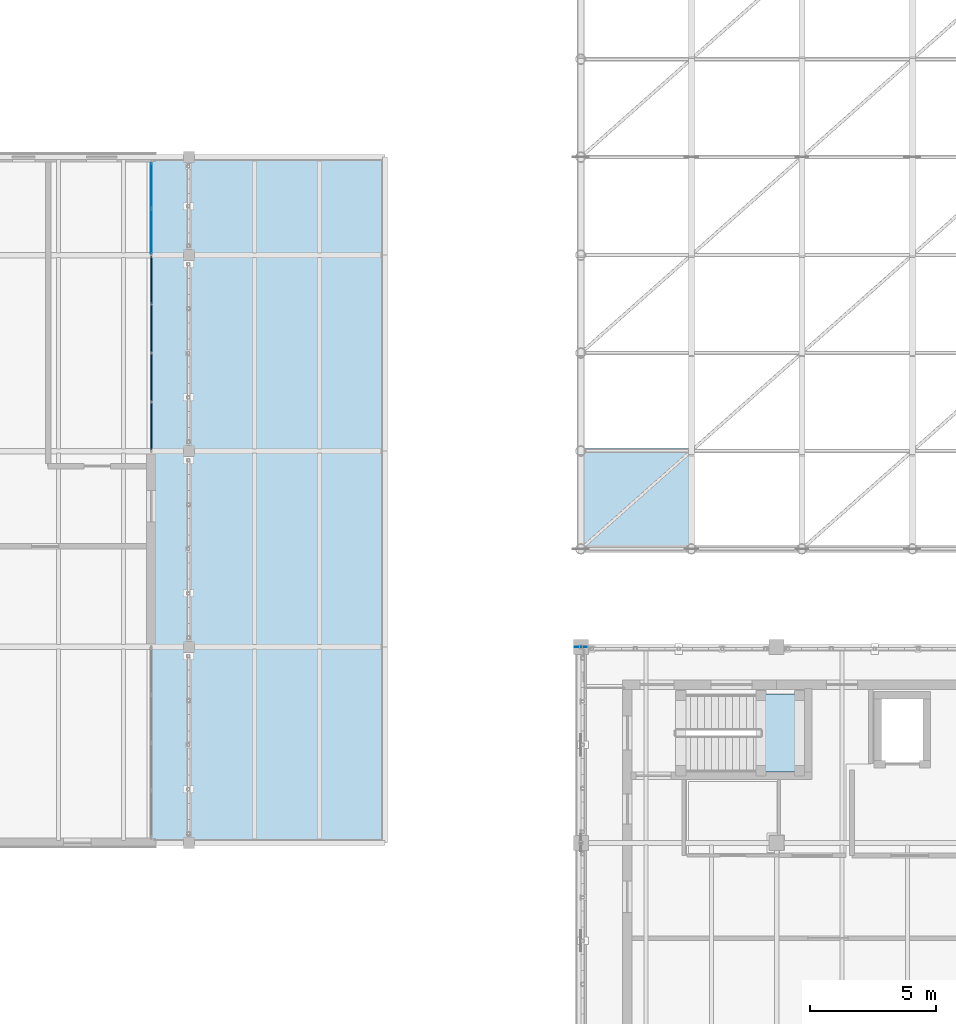
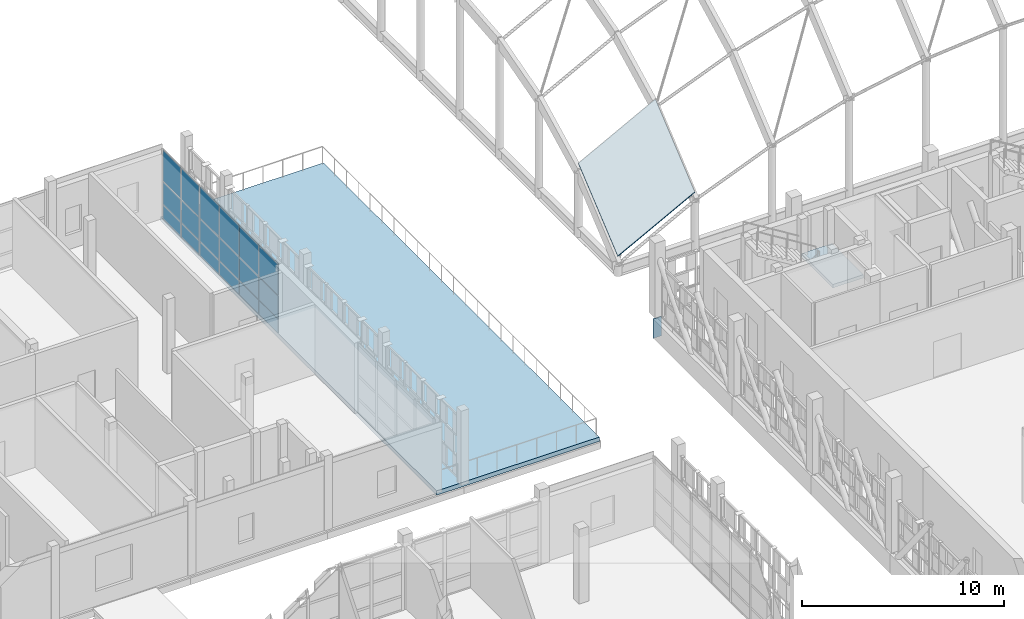
# One storey, part 69 of 119: 19 plates, 3 slabs, 3 elements without a shape of their own.
"""IFC4 building model written with IfcOpenShell, lengths in metres."""

from ifc_helpers import new_model, si_unit, direction, frame, origin, origin_2d, place, context, subcontext, project, spatial, polyline, rectangle, outline, extrude, material, layer, layer_set, type_object, element, aggregate, save


model = new_model("IFC4")

# Units and contexts
model_context = context("Model", 3, precision=1e-05, world=origin(), true_north=direction((0.0, 1.0)))
body_context = subcontext(model_context, "Body", "Model", "MODEL_VIEW")
ifc_project = project(units=[si_unit("LENGTHUNIT", "METRE"), si_unit("AREAUNIT", "SQUARE_METRE"), si_unit("VOLUMEUNIT", "CUBIC_METRE"), si_unit("PLANEANGLEUNIT", "RADIAN"), si_unit("MASSUNIT", "GRAM", prefix="KILO")], contexts=[model_context])

# Site, building, storey
site_placement = place(None, origin())
site = spatial("IfcSite", under=ifc_project, at=site_placement, CompositionType="ELEMENT")
building_placement = place(site_placement, origin())
building = spatial("IfcBuilding", under=site, at=building_placement, Name="Celorna Specialist Clinic", CompositionType="ELEMENT")
storey_placement = place(building_placement, frame((0.0, 0.0, 9.60009765625)))
storey = spatial("IfcBuildingStorey", under=building, at=storey_placement, Name="L02", CompositionType="ELEMENT", Elevation=9.60009765625)

# Curtain wall, plates
ifc_material_1 = material(Name="Thermally broken aluminium and solar-control glass curtain wall", Category="aluminium")
ifc_layer_1 = layer(ifc_material_1, 0.159912109375, Name="Thermally broken aluminium and solar-control glass curtain wall")
ifc_layer_set_1 = layer_set([ifc_layer_1], Name="Thermally broken aluminium and solar-control glass curtain wall")
curtain_wall_type_1 = type_object("IfcCurtainWallType", Name="CW-33", PredefinedType="NOTDEFINED", material=ifc_layer_set_1)
curtain_wall_1_placement = place(storey_placement, origin())
curtain_wall_1 = element("IfcCurtainWall", 1, at=curtain_wall_1_placement, inside=storey, type_object=curtain_wall_type_1, Name="Curtain wall CW-33 #63", PredefinedType="NOTDEFINED")
ifc_material_2 = material(Name="Low-e double glazing", Category="glass")
ifc_layer_2 = layer(ifc_material_2, 0.028076171875, Name="Low-e double glazing")
ifc_layer_set_2 = layer_set([ifc_layer_2], Name="Low-e double glazing")
plate_type_1 = type_object("IfcPlateType", Name="CPN-01", PredefinedType="CURTAIN_PANEL", material=ifc_layer_set_2)
plate_1_placement = place(storey_placement, frame((37.5, 61.26806640625, 0.0498046875), z_axis=(0.0, 0.0, 1.0), x_axis=(0.0, -1.0, 0.0)))
plate_1 = element("IfcPlate", 2, at=plate_1_placement, type_object=plate_type_1, Name="CW-33 panel 1.1", PredefinedType="CURTAIN_PANEL", context=body_context, shape_type="SweptSolid", body=[
    extrude(rectangle(XDim=1.77587890625, YDim=0.028076171875, at=origin_2d()), origin(), (0.0, 0.0, 1.0), 0.824951171875),
])
plate_2_placement = place(storey_placement, frame((37.5, 61.26806640625, 0.9248046875), z_axis=(0.0, 0.0, 1.0), x_axis=(0.0, -1.0, 0.0)))
plate_2 = element("IfcPlate", 3, at=plate_2_placement, type_object=plate_type_1, Name="CW-33 panel 1.2", PredefinedType="CURTAIN_PANEL", context=body_context, shape_type="SweptSolid", body=[
    extrude(rectangle(XDim=1.77587890625, YDim=0.028076171875, at=origin_2d()), origin(), (0.0, 0.0, 1.0), 1.35009765625),
])
plate_3_placement = place(storey_placement, frame((37.5, 61.26806640625, 2.32470703125), z_axis=(0.0, 0.0, 1.0), x_axis=(0.0, -1.0, 0.0)))
plate_3 = element("IfcPlate", 4, at=plate_3_placement, type_object=plate_type_1, Name="CW-33 panel 1.3", PredefinedType="CURTAIN_PANEL", context=body_context, shape_type="SweptSolid", body=[
    extrude(rectangle(XDim=1.77587890625, YDim=0.028076171875, at=origin_2d()), origin(), (0.0, 0.0, 1.0), 1.864990234375),
])
plate_4_placement = place(storey_placement, frame((37.5, 59.44189453125, 0.0498046875), z_axis=(0.0, 0.0, 1.0), x_axis=(0.0, -1.0, 0.0)))
plate_4 = element("IfcPlate", 5, at=plate_4_placement, type_object=plate_type_1, Name="CW-33 panel 2.1", PredefinedType="CURTAIN_PANEL", context=body_context, shape_type="SweptSolid", body=[
    extrude(rectangle(XDim=1.77587890625, YDim=0.028076171875, at=origin_2d()), origin(), (0.0, 0.0, 1.0), 0.824951171875),
])
plate_5_placement = place(storey_placement, frame((37.5, 59.44189453125, 0.9248046875), z_axis=(0.0, 0.0, 1.0), x_axis=(0.0, -1.0, 0.0)))
plate_5 = element("IfcPlate", 6, at=plate_5_placement, type_object=plate_type_1, Name="CW-33 panel 2.2", PredefinedType="CURTAIN_PANEL", context=body_context, shape_type="SweptSolid", body=[
    extrude(rectangle(XDim=1.77587890625, YDim=0.028076171875, at=origin_2d()), origin(), (0.0, 0.0, 1.0), 1.35009765625),
])
plate_6_placement = place(storey_placement, frame((37.5, 59.44189453125, 2.32470703125), z_axis=(0.0, 0.0, 1.0), x_axis=(0.0, -1.0, 0.0)))
plate_6 = element("IfcPlate", 7, at=plate_6_placement, type_object=plate_type_1, Name="CW-33 panel 2.3", PredefinedType="CURTAIN_PANEL", context=body_context, shape_type="SweptSolid", body=[
    extrude(rectangle(XDim=1.77587890625, YDim=0.028076171875, at=origin_2d()), origin(), (0.0, 0.0, 1.0), 1.864990234375),
])
aggregate(curtain_wall_1, [plate_1, plate_2, plate_3, plate_4, plate_5, plate_6])

ifc_layer_3 = layer(ifc_material_1, 0.159912109375, Name="Thermally broken aluminium and solar-control glass curtain wall")
ifc_layer_set_3 = layer_set([ifc_layer_3], Name="Thermally broken aluminium and solar-control glass curtain wall")
curtain_wall_type_2 = type_object("IfcCurtainWallType", Name="CW-32", PredefinedType="NOTDEFINED", material=ifc_layer_set_3)
curtain_wall_2_placement = place(storey_placement, origin())
curtain_wall_2 = element("IfcCurtainWall", 8, at=curtain_wall_2_placement, inside=storey, type_object=curtain_wall_type_2, Name="Curtain wall CW-32 #62", PredefinedType="NOTDEFINED")
ifc_material_3 = material(Name="Glazed polychrome ceramic insulated spandrel")
ifc_layer_4 = layer(ifc_material_3, 0.0439453125, Name="Glazed polychrome ceramic insulated spandrel")
ifc_layer_set_4 = layer_set([ifc_layer_4], Name="Glazed polychrome ceramic insulated spandrel")
plate_type_2 = type_object("IfcPlateType", Name="CPN-03", PredefinedType="CURTAIN_PANEL", material=ifc_layer_set_4)
plate_7_placement = place(storey_placement, frame((37.5, 57.509521484375, 0.0498046875), z_axis=(0.0, 0.0, 1.0), x_axis=(0.0, -1.0, 0.0)))
plate_7 = element("IfcPlate", 9, at=plate_7_placement, type_object=plate_type_2, Name="CW-32 panel 1.1", PredefinedType="CURTAIN_PANEL", context=body_context, shape_type="SweptSolid", body=[
    extrude(rectangle(XDim=1.873046875, YDim=0.0439453125, at=origin_2d()), origin(), (0.0, 0.0, 1.0), 0.824951171875),
])
plate_8_placement = place(storey_placement, frame((37.5, 57.509521484375, 0.9248046875), z_axis=(0.0, 0.0, 1.0), x_axis=(0.0, -1.0, 0.0)))
plate_8 = element("IfcPlate", 10, at=plate_8_placement, type_object=plate_type_2, Name="CW-32 panel 1.2", PredefinedType="CURTAIN_PANEL", context=body_context, shape_type="SweptSolid", body=[
    extrude(rectangle(XDim=1.873046875, YDim=0.0439453125, at=origin_2d()), origin(), (0.0, 0.0, 1.0), 1.35009765625),
])
plate_9_placement = place(storey_placement, frame((37.5, 57.509521484375, 2.32470703125), z_axis=(0.0, 0.0, 1.0), x_axis=(0.0, -1.0, 0.0)))
plate_9 = element("IfcPlate", 11, at=plate_9_placement, type_object=plate_type_2, Name="CW-32 panel 1.3", PredefinedType="CURTAIN_PANEL", context=body_context, shape_type="SweptSolid", body=[
    extrude(rectangle(XDim=1.873046875, YDim=0.0439453125, at=origin_2d()), origin(), (0.0, 0.0, 1.0), 1.864990234375),
])
plate_10_placement = place(storey_placement, frame((37.5, 55.573974609375, 0.0498046875), z_axis=(0.0, 0.0, 1.0), x_axis=(0.0, -1.0, 0.0)))
plate_10 = element("IfcPlate", 12, at=plate_10_placement, type_object=plate_type_2, Name="CW-32 panel 2.1", PredefinedType="CURTAIN_PANEL", context=body_context, shape_type="SweptSolid", body=[
    extrude(rectangle(XDim=1.89794921875, YDim=0.0439453125, at=origin_2d()), origin(), (0.0, 0.0, 1.0), 0.824951171875),
])
plate_11_placement = place(storey_placement, frame((37.5, 55.573974609375, 0.9248046875), z_axis=(0.0, 0.0, 1.0), x_axis=(0.0, -1.0, 0.0)))
plate_11 = element("IfcPlate", 13, at=plate_11_placement, type_object=plate_type_2, Name="CW-32 panel 2.2", PredefinedType="CURTAIN_PANEL", context=body_context, shape_type="SweptSolid", body=[
    extrude(rectangle(XDim=1.89794921875, YDim=0.0439453125, at=origin_2d()), origin(), (0.0, 0.0, 1.0), 1.35009765625),
])
plate_12_placement = place(storey_placement, frame((37.5, 55.573974609375, 2.32470703125), z_axis=(0.0, 0.0, 1.0), x_axis=(0.0, -1.0, 0.0)))
plate_12 = element("IfcPlate", 14, at=plate_12_placement, type_object=plate_type_2, Name="CW-32 panel 2.3", PredefinedType="CURTAIN_PANEL", context=body_context, shape_type="SweptSolid", body=[
    extrude(rectangle(XDim=1.89794921875, YDim=0.0439453125, at=origin_2d()), origin(), (0.0, 0.0, 1.0), 1.864990234375),
])
plate_13_placement = place(storey_placement, frame((37.5, 53.6259765625, 0.0498046875), z_axis=(0.0, 0.0, 1.0), x_axis=(0.0, -1.0, 0.0)))
plate_13 = element("IfcPlate", 15, at=plate_13_placement, type_object=plate_type_2, Name="CW-32 panel 3.1", PredefinedType="CURTAIN_PANEL", context=body_context, shape_type="SweptSolid", body=[
    extrude(rectangle(XDim=1.89794921875, YDim=0.0439453125, at=origin_2d()), origin(), (0.0, 0.0, 1.0), 0.824951171875),
])
plate_14_placement = place(storey_placement, frame((37.5, 53.6259765625, 0.9248046875), z_axis=(0.0, 0.0, 1.0), x_axis=(0.0, -1.0, 0.0)))
plate_14 = element("IfcPlate", 16, at=plate_14_placement, type_object=plate_type_2, Name="CW-32 panel 3.2", PredefinedType="CURTAIN_PANEL", context=body_context, shape_type="SweptSolid", body=[
    extrude(rectangle(XDim=1.89794921875, YDim=0.0439453125, at=origin_2d()), origin(), (0.0, 0.0, 1.0), 1.35009765625),
])
plate_15_placement = place(storey_placement, frame((37.5, 53.6259765625, 2.32470703125), z_axis=(0.0, 0.0, 1.0), x_axis=(0.0, -1.0, 0.0)))
plate_15 = element("IfcPlate", 17, at=plate_15_placement, type_object=plate_type_2, Name="CW-32 panel 3.3", PredefinedType="CURTAIN_PANEL", context=body_context, shape_type="SweptSolid", body=[
    extrude(rectangle(XDim=1.89794921875, YDim=0.0439453125, at=origin_2d()), origin(), (0.0, 0.0, 1.0), 1.864990234375),
])
plate_16_placement = place(storey_placement, frame((37.5, 51.6904296875, 0.0498046875), z_axis=(0.0, 0.0, 1.0), x_axis=(0.0, -1.0, 0.0)))
plate_16 = element("IfcPlate", 18, at=plate_16_placement, type_object=plate_type_2, Name="CW-32 panel 4.1", PredefinedType="CURTAIN_PANEL", context=body_context, shape_type="SweptSolid", body=[
    extrude(rectangle(XDim=1.873046875, YDim=0.0439453125, at=origin_2d()), origin(), (0.0, 0.0, 1.0), 0.824951171875),
])
plate_17_placement = place(storey_placement, frame((37.5, 51.6904296875, 0.9248046875), z_axis=(0.0, 0.0, 1.0), x_axis=(0.0, -1.0, 0.0)))
plate_17 = element("IfcPlate", 19, at=plate_17_placement, type_object=plate_type_2, Name="CW-32 panel 4.2", PredefinedType="CURTAIN_PANEL", context=body_context, shape_type="SweptSolid", body=[
    extrude(rectangle(XDim=1.873046875, YDim=0.0439453125, at=origin_2d()), origin(), (0.0, 0.0, 1.0), 1.35009765625),
])
plate_18_placement = place(storey_placement, frame((37.5, 51.6904296875, 2.32470703125), z_axis=(0.0, 0.0, 1.0), x_axis=(0.0, -1.0, 0.0)))
plate_18 = element("IfcPlate", 20, at=plate_18_placement, type_object=plate_type_2, Name="CW-32 panel 4.3", PredefinedType="CURTAIN_PANEL", context=body_context, shape_type="SweptSolid", body=[
    extrude(rectangle(XDim=1.873046875, YDim=0.0439453125, at=origin_2d()), origin(), (0.0, 0.0, 1.0), 1.864990234375),
])
aggregate(curtain_wall_2, [plate_7, plate_8, plate_9, plate_10, plate_11, plate_12, plate_13, plate_14, plate_15, plate_16, plate_17, plate_18])

# Plate
ifc_material_4 = material(Name="Steel S355", Category="steel")
ifc_layer_5 = layer(ifc_material_4, 0.02490234375, Name="Steel S355")
ifc_layer_set_5 = layer_set([ifc_layer_5], Name="Steel S355")
plate_type_3 = type_object("IfcPlateType", Name="EP-01", PredefinedType="SHEET", material=ifc_layer_set_5)
plate_19_placement = place(storey_placement, frame((54.60009765625, 42.89990234375, -1.42529296875), z_axis=(0.0, 0.0, 1.0), x_axis=(1.0, 0.0, 0.0)))
element("IfcPlate", 21, at=plate_19_placement, inside=storey, type_object=plate_type_3, Name="Truss chord end cap plate EP-01 #2", PredefinedType="SHEET", context=body_context, shape_type="SweptSolid", body=[
    extrude(rectangle(XDim=0.47998046875, YDim=0.02490234375, at=origin_2d()), origin(), (0.0, 0.0, 1.0), 1.179931640625),
])

# Slab
ifc_material_5 = material(Name="Concrete C35/45", Category="concrete")
ifc_layer_6 = layer(ifc_material_5, 0.260009765625, Name="Concrete C35/45")
ifc_layer_set_6 = layer_set([ifc_layer_6], Name="Concrete C35/45")
slab_type_1 = type_object("IfcSlabType", Name="SL-07", PredefinedType="FLOOR", material=ifc_layer_set_6)
slab_1_placement = place(storey_placement, frame((0.0, 0.0, -0.260009765625)))
element("IfcSlab", 22, at=slab_1_placement, inside=storey, type_object=slab_type_1, Name="Nuclear Medicine Cloister Terrace", PredefinedType="FLOOR", context=body_context, shape_type="SweptSolid", body=[
    extrude(outline(polyline([(37.5, 35.10009765625), (46.800048828125, 35.10009765625), (46.800048828125, 62.39990234375), (37.5, 62.39990234375), (37.5, 35.10009765625)])), origin(), (0.0, 0.0, 1.0), 0.260009765625),
])

# Stair, slab
stair_type = type_object("IfcStairType", Name="ST-01", PredefinedType="HALF_TURN_STAIR", material=ifc_material_5)
stair_placement = place(storey_placement, origin())
stair = element("IfcStair", 23, at=stair_placement, inside=storey, type_object=stair_type, Name="L02 Protected exit stair ST-08", PredefinedType="HALF_TURN_STAIR")
ifc_layer_7 = layer(ifc_material_5, 0.199951171875, Name="Concrete C35/45")
ifc_layer_set_7 = layer_set([ifc_layer_7], Name="Concrete C35/45")
slab_type_2 = type_object("IfcSlabType", Name="SL-11", PredefinedType="LANDING", material=ifc_layer_set_7)
slab_2_placement = place(storey_placement, frame((0.0, 0.0, 2.0498046875)))
slab_2 = element("IfcSlab", 24, at=slab_2_placement, type_object=slab_type_2, Name="ST-08 landing 1", PredefinedType="LANDING", context=body_context, shape_type="SweptSolid", body=[
    extrude(outline(polyline([(61.760009765625, 37.919921875), (63.5, 37.919921875), (63.5, 41.02001953125), (61.760009765625, 41.02001953125), (61.760009765625, 37.919921875)])), origin(), (0.0, 0.0, 1.0), 0.2001953125),
])
aggregate(stair, [slab_2])

# Slab
ifc_material_6 = material(Name="Glulam GL28h insulated roof deck", Category="wood")
ifc_layer_8 = layer(ifc_material_6, 0.179931640625, Name="Glulam GL28h insulated roof deck")
ifc_layer_set_8 = layer_set([ifc_layer_8], Name="Glulam GL28h insulated roof deck")
slab_type_3 = type_object("IfcSlabType", Name="SL-12", PredefinedType="ROOF", material=ifc_layer_set_8)
slab_3_placement = place(storey_placement, frame((54.60009765625, 46.800048828125, 1.08984375), z_axis=(-0.377044351271, -0.592167971342, 0.712161955521), x_axis=(0.883775414362, 1.0340211e-05, 0.467911334403)))
element("IfcSlab", 25, at=slab_3_placement, inside=storey, type_object=slab_type_3, Name="GSH-V1 translational gridshell roof facet 1-1", PredefinedType="ROOF", context=body_context, shape_type="SweptSolid", body=[
    extrude(outline(polyline([(0.0, 0.0), (4.978567009399633, 0.0), (6.495892087051352, 4.839618695131234), (1.5174393138173456, 4.839746463587173), (0.0, 0.0)])), origin(), (0.0, 0.0, -1.0), 0.179931640625),
])

save(model, "model.ifc")
